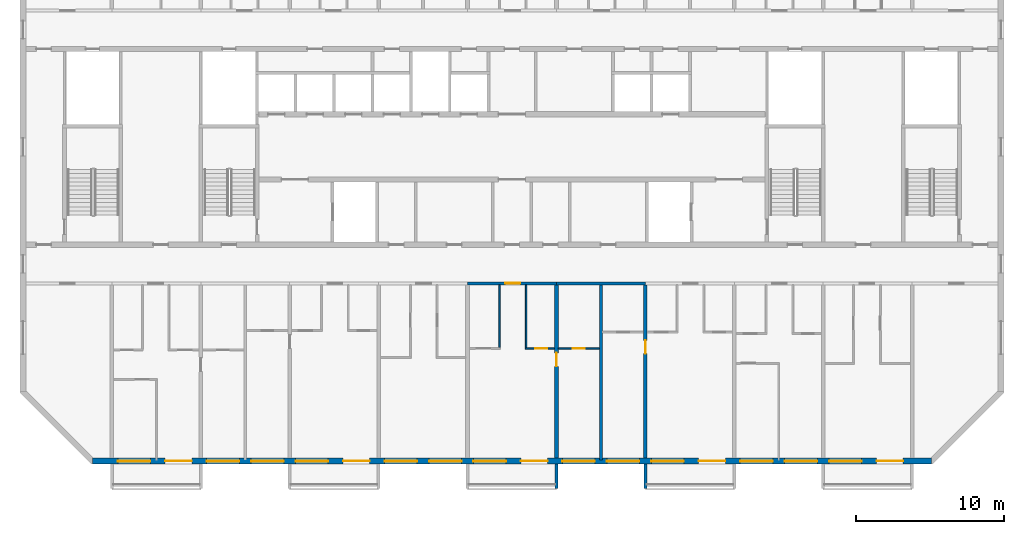
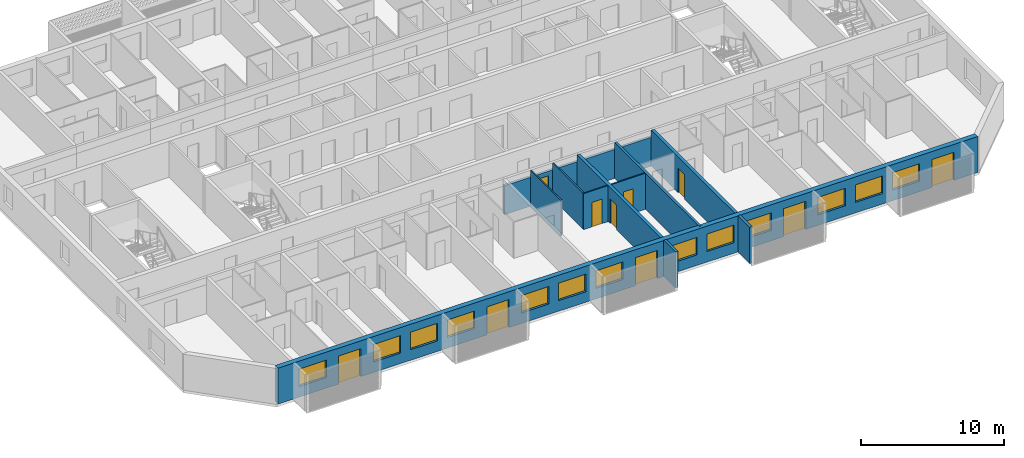
# One storey, part 4 of 27: 13 windows, 12 walls, 10 doors, 23 openings.
"""IFC4 building model written with IfcOpenShell, lengths in metres."""

from ifc_helpers import new_model, si_unit, direction, frame, frame_2d, origin, place, context, subcontext, project, spatial, polyline, rectangle, outline, extrude, source, transform, mapped, material, layer, layer_set, type_object, element, fill, save


model = new_model("IFC4")

# Units and contexts
model_context = context("Model", 3, precision=1e-05, world=origin(), true_north=direction((0.0, 1.0)))
body_context = subcontext(model_context, "Body", "Model", "MODEL_VIEW")
ifc_project = project(units=[si_unit("LENGTHUNIT", "METRE"), si_unit("AREAUNIT", "SQUARE_METRE"), si_unit("VOLUMEUNIT", "CUBIC_METRE"), si_unit("PLANEANGLEUNIT", "RADIAN"), si_unit("MASSUNIT", "GRAM", prefix="KILO")], contexts=[model_context])

# Site, building, storey
site_placement = place(None, origin())
site = spatial("IfcSite", under=ifc_project, at=site_placement, CompositionType="ELEMENT")
building_placement = place(site_placement, origin())
building = spatial("IfcBuilding", under=site, at=building_placement, Name="Poui Terraces", CompositionType="ELEMENT")
storey_placement = place(building_placement, frame((0.0, 0.0, 251.10009765625)))
storey = spatial("IfcBuildingStorey", under=building, at=storey_placement, Name="L70", CompositionType="ELEMENT", Elevation=251.10009765625)

# Wall, opening, door
ifc_material_1 = material(Name="Concrete 50 MPa", Category="concrete")
ifc_layer_1 = layer(ifc_material_1, 0.199951171875)
ifc_layer_set_1 = layer_set([ifc_layer_1], Name="Concrete 50 MPa")
wall_type_1 = type_object("IfcWallType", Name="CORRIDOR WALL 200 50MPa", PredefinedType="SHEAR", material=ifc_layer_set_1)
wall_1_placement = place(storey_placement, frame((48.0, 12.0, 0.0), z_axis=(0.0, 0.0, 1.0), x_axis=(1.0, 0.0, 0.0)))
wall_1 = element("IfcWall", 1, at=wall_1_placement, inside=storey, type_object=wall_type_1, Name="CORRIDOR WALL LINE B BAY 6", PredefinedType="SHEAR", context=body_context, shape_type="SweptSolid", body=[
    extrude(rectangle(XDim=6.0, YDim=0.199951171875, at=frame_2d((3.0, 0.0))), origin(), (0.0, 0.0, 1.0), 2.47998046875),
])
opening_1_placement = place(wall_1_placement, frame((2.550048828125, 0.0, 0.0)))
opening_1 = element("IfcOpeningElement", 2, at=opening_1_placement, cuts=wall_1, Name="Opening FD30S", PredefinedType="OPENING", context=body_context, shape_type="SweptSolid", body=[
    extrude(rectangle(XDim=1.0, YDim=2.10009765625, at=frame_2d((0.5, 1.050048828125))), frame((0.0, 0.10986328125, 0.0), z_axis=(0.0, -1.0, 0.0), x_axis=(1.0, 0.0, 0.0)), (0.0, 0.0, 1.0), 0.219970703125),
])
ifc_material_2 = material(Name="Steel fire door", Category="steel")
door_type_1 = type_object("IfcDoorType", Name="FLAT ENTRANCE DOOR 1000 X 2100", OperationType="NOTDEFINED", PredefinedType="DOOR", material=ifc_material_2)
door_1_placement = place(opening_1_placement, frame((1.0, 0.0, 0.0), z_axis=(0.0, 0.0, 1.0), x_axis=(-1.0, 0.0, 0.0)))
door_1 = element("IfcDoor", 3, at=door_1_placement, inside=storey, type_object=door_type_1, Name="FLAT ENTRANCE DOOR 078", OperationType="SINGLE_SWING_LEFT", OverallHeight=2.10009765625, OverallWidth=1.0, PredefinedType="DOOR", context=body_context, shape_type="SweptSolid", body=[
    extrude(rectangle(XDim=1.0, YDim=2.10009765625, at=frame_2d((0.5, 1.050048828125))), frame((0.0, 0.02490234375, 0.0), z_axis=(0.0, -1.0, 0.0), x_axis=(1.0, 0.0, 0.0)), (0.0, 0.0, 1.0), 0.050048828125),
])
fill(opening_1, door_1)

# Wall
wall_2_placement = place(storey_placement, frame((54.0, 12.0, 0.0), z_axis=(0.0, 0.0, 1.0), x_axis=(1.0, 0.0, 0.0)))
element("IfcWall", 4, at=wall_2_placement, inside=storey, type_object=wall_type_1, Name="CORRIDOR WALL LINE B BAY 7", PredefinedType="SHEAR", context=body_context, shape_type="SweptSolid", body=[
    extrude(rectangle(XDim=6.0, YDim=0.199951171875, at=frame_2d((3.0, 0.0))), origin(), (0.0, 0.0, 1.0), 2.47998046875),
])

# Wall, opening, door
ifc_layer_2 = layer(ifc_material_1, 0.25)
ifc_layer_set_2 = layer_set([ifc_layer_2], Name="Concrete 50 MPa")
wall_type_2 = type_object("IfcWallType", Name="CROSS WALL 250 50MPa", PredefinedType="SHEAR", material=ifc_layer_set_2)
wall_3_placement = place(storey_placement, frame((54.0, 0.199951171875, 0.0), z_axis=(0.0, 0.0, 1.0), x_axis=(0.0, 1.0, 0.0)))
wall_3 = element("IfcWall", 5, at=wall_3_placement, inside=storey, type_object=wall_type_2, Name="CROSS WALL LINE 10 SOUTH", PredefinedType="SHEAR", context=body_context, shape_type="SweptSolid", body=[
    extrude(rectangle(XDim=11.699951171875, YDim=0.25, at=frame_2d((5.85009765625, 0.0))), origin(), (0.0, 0.0, 1.0), 3.079833984375),
])
opening_2_placement = place(wall_3_placement, frame((6.199951171875, 0.0, 0.0)))
opening_2 = element("IfcOpeningElement", 6, at=opening_2_placement, cuts=wall_3, Name="Opening D90", PredefinedType="OPENING", context=body_context, shape_type="SweptSolid", body=[
    extrude(rectangle(XDim=0.89990234375, YDim=2.10009765625, at=frame_2d((0.449951171875, 1.050048828125))), frame((0.0, 0.135009765625, 0.0), z_axis=(0.0, -1.0, 0.0), x_axis=(1.0, 0.0, 0.0)), (0.0, 0.0, 1.0), 0.27001953125),
])
ifc_material_3 = material(Name="Solid core timber door", Category="wood")
door_type_2 = type_object("IfcDoorType", Name="INTERNAL DOOR 900 X 2100", OperationType="NOTDEFINED", PredefinedType="DOOR", material=ifc_material_3)
door_2_placement = place(opening_2_placement, frame((0.89990234375, 0.0, 0.0), z_axis=(0.0, 0.0, 1.0), x_axis=(-1.0, 0.0, 0.0)))
door_2 = element("IfcDoor", 7, at=door_2_placement, inside=storey, type_object=door_type_2, Name="INTERNAL DOOR 080", OperationType="SINGLE_SWING_LEFT", OverallHeight=2.10009765625, OverallWidth=0.89990234375, PredefinedType="DOOR", context=body_context, shape_type="SweptSolid", body=[
    extrude(rectangle(XDim=0.89990234375, YDim=2.10009765625, at=frame_2d((0.449951171875, 1.050048828125))), frame((0.0, 0.02490234375, 0.0), z_axis=(0.0, -1.0, 0.0), x_axis=(1.0, 0.0, 0.0)), (0.0, 0.0, 1.0), 0.050048828125),
])
fill(opening_2, door_2)

wall_4_placement = place(storey_placement, frame((60.0, 0.199951171875, 0.0), z_axis=(0.0, 0.0, 1.0), x_axis=(0.0, 1.0, 0.0)))
wall_4 = element("IfcWall", 8, at=wall_4_placement, inside=storey, type_object=wall_type_2, Name="CROSS WALL LINE 11 SOUTH", PredefinedType="SHEAR", context=body_context, shape_type="SweptSolid", body=[
    extrude(rectangle(XDim=11.699951171875, YDim=0.25, at=frame_2d((5.85009765625, 0.0))), origin(), (0.0, 0.0, 1.0), 3.079833984375),
])
opening_3_placement = place(wall_4_placement, frame((7.050048828125, 0.0, 0.0)))
opening_3 = element("IfcOpeningElement", 9, at=opening_3_placement, cuts=wall_4, Name="Opening D90", PredefinedType="OPENING", context=body_context, shape_type="SweptSolid", body=[
    extrude(rectangle(XDim=0.89990234375, YDim=2.10009765625, at=frame_2d((0.449951171875, 1.050048828125))), frame((0.0, 0.135009765625, 0.0), z_axis=(0.0, -1.0, 0.0), x_axis=(1.0, 0.0, 0.0)), (0.0, 0.0, 1.0), 0.27001953125),
])
door_3_placement = place(opening_3_placement, origin())
door_3 = element("IfcDoor", 10, at=door_3_placement, inside=storey, type_object=door_type_2, Name="INTERNAL DOOR 082", OperationType="SINGLE_SWING_RIGHT", OverallHeight=2.10009765625, OverallWidth=0.89990234375, PredefinedType="DOOR", context=body_context, shape_type="SweptSolid", body=[
    extrude(rectangle(XDim=0.89990234375, YDim=2.10009765625, at=frame_2d((0.449951171875, 1.050048828125))), frame((0.0, 0.02490234375, 0.0), z_axis=(0.0, -1.0, 0.0), x_axis=(1.0, 0.0, 0.0)), (0.0, 0.0, 1.0), 0.050048828125),
])
fill(opening_3, door_3)

# Wall, openings, doors, windows
ifc_material_4 = material(Name="Precast concrete 40 MPa", Category="concrete")
ifc_layer_3 = layer(ifc_material_4, 0.39990234375)
ifc_layer_set_3 = layer_set([ifc_layer_3], Name="Precast concrete 40 MPa")
wall_type_3 = type_object("IfcWallType", Name="EXTERNAL WALL 400", PredefinedType="STANDARD", material=ifc_layer_set_3)
wall_5_placement = place(storey_placement, frame((22.682861328125, 0.0, 0.0), z_axis=(0.0, 0.0, 1.0), x_axis=(1.0, 0.0, 0.0)))
wall_5 = element("IfcWall", 11, at=wall_5_placement, inside=storey, type_object=wall_type_3, Name="EXTERNAL WALL S", PredefinedType="STANDARD", context=body_context, shape_type="SweptSolid", body=[
    extrude(rectangle(XDim=56.63427734375, YDim=0.39990234375, at=frame_2d((28.317138671875, 0.0))), origin(), (0.0, 0.0, 1.0), 3.079833984375),
])
opening_4_placement = place(wall_5_placement, frame((1.71728515625, 0.0, 0.89990234375)))
opening_4 = element("IfcOpeningElement", 12, at=opening_4_placement, cuts=wall_5, Name="Opening W1", PredefinedType="OPENING", context=body_context, shape_type="SweptSolid", body=[
    extrude(rectangle(XDim=2.199951171875, YDim=1.5, at=frame_2d((1.10009765625, 0.75))), frame((0.0, 0.2099609375, 0.0), z_axis=(0.0, -1.0, 0.0), x_axis=(1.0, 0.0, 0.0)), (0.0, 0.0, 1.0), 0.419921875),
])
opening_5_placement = place(wall_5_placement, frame((4.917236328125, 0.0, 0.0)))
opening_5 = element("IfcOpeningElement", 13, at=opening_5_placement, cuts=wall_5, Name="Opening BD1", PredefinedType="OPENING", context=body_context, shape_type="SweptSolid", body=[
    extrude(rectangle(XDim=1.800048828125, YDim=2.39990234375, at=frame_2d((0.89990234375, 1.199951171875))), frame((0.0, 0.2099609375, 0.0), z_axis=(0.0, -1.0, 0.0), x_axis=(1.0, 0.0, 0.0)), (0.0, 0.0, 1.0), 0.419921875),
])
opening_6_placement = place(wall_5_placement, frame((7.71728515625, 0.0, 0.89990234375)))
opening_6 = element("IfcOpeningElement", 14, at=opening_6_placement, cuts=wall_5, Name="Opening W1", PredefinedType="OPENING", context=body_context, shape_type="SweptSolid", body=[
    extrude(rectangle(XDim=2.199951171875, YDim=1.5, at=frame_2d((1.10009765625, 0.75))), frame((0.0, 0.2099609375, 0.0), z_axis=(0.0, -1.0, 0.0), x_axis=(1.0, 0.0, 0.0)), (0.0, 0.0, 1.0), 0.419921875),
])
opening_7_placement = place(wall_5_placement, frame((10.71728515625, 0.0, 0.89990234375)))
opening_7 = element("IfcOpeningElement", 15, at=opening_7_placement, cuts=wall_5, Name="Opening W1", PredefinedType="OPENING", context=body_context, shape_type="SweptSolid", body=[
    extrude(rectangle(XDim=2.199951171875, YDim=1.5, at=frame_2d((1.10009765625, 0.75))), frame((0.0, 0.2099609375, 0.0), z_axis=(0.0, -1.0, 0.0), x_axis=(1.0, 0.0, 0.0)), (0.0, 0.0, 1.0), 0.419921875),
])
opening_8_placement = place(wall_5_placement, frame((13.71728515625, 0.0, 0.89990234375)))
opening_8 = element("IfcOpeningElement", 16, at=opening_8_placement, cuts=wall_5, Name="Opening W1", PredefinedType="OPENING", context=body_context, shape_type="SweptSolid", body=[
    extrude(rectangle(XDim=2.199951171875, YDim=1.5, at=frame_2d((1.10009765625, 0.75))), frame((0.0, 0.2099609375, 0.0), z_axis=(0.0, -1.0, 0.0), x_axis=(1.0, 0.0, 0.0)), (0.0, 0.0, 1.0), 0.419921875),
])
opening_9_placement = place(wall_5_placement, frame((16.917236328125, 0.0, 0.0)))
opening_9 = element("IfcOpeningElement", 17, at=opening_9_placement, cuts=wall_5, Name="Opening BD1", PredefinedType="OPENING", context=body_context, shape_type="SweptSolid", body=[
    extrude(rectangle(XDim=1.800048828125, YDim=2.39990234375, at=frame_2d((0.89990234375, 1.199951171875))), frame((0.0, 0.2099609375, 0.0), z_axis=(0.0, -1.0, 0.0), x_axis=(1.0, 0.0, 0.0)), (0.0, 0.0, 1.0), 0.419921875),
])
opening_10_placement = place(wall_5_placement, frame((19.71728515625, 0.0, 0.89990234375)))
opening_10 = element("IfcOpeningElement", 18, at=opening_10_placement, cuts=wall_5, Name="Opening W1", PredefinedType="OPENING", context=body_context, shape_type="SweptSolid", body=[
    extrude(rectangle(XDim=2.199951171875, YDim=1.5, at=frame_2d((1.10009765625, 0.75))), frame((0.0, 0.2099609375, 0.0), z_axis=(0.0, -1.0, 0.0), x_axis=(1.0, 0.0, 0.0)), (0.0, 0.0, 1.0), 0.419921875),
])
opening_11_placement = place(wall_5_placement, frame((22.71728515625, 0.0, 0.89990234375)))
opening_11 = element("IfcOpeningElement", 19, at=opening_11_placement, cuts=wall_5, Name="Opening W1", PredefinedType="OPENING", context=body_context, shape_type="SweptSolid", body=[
    extrude(rectangle(XDim=2.199951171875, YDim=1.5, at=frame_2d((1.10009765625, 0.75))), frame((0.0, 0.2099609375, 0.0), z_axis=(0.0, -1.0, 0.0), x_axis=(1.0, 0.0, 0.0)), (0.0, 0.0, 1.0), 0.419921875),
])
opening_12_placement = place(wall_5_placement, frame((25.71728515625, 0.0, 0.89990234375)))
opening_12 = element("IfcOpeningElement", 20, at=opening_12_placement, cuts=wall_5, Name="Opening W1", PredefinedType="OPENING", context=body_context, shape_type="SweptSolid", body=[
    extrude(rectangle(XDim=2.199951171875, YDim=1.5, at=frame_2d((1.10009765625, 0.75))), frame((0.0, 0.2099609375, 0.0), z_axis=(0.0, -1.0, 0.0), x_axis=(1.0, 0.0, 0.0)), (0.0, 0.0, 1.0), 0.419921875),
])
opening_13_placement = place(wall_5_placement, frame((28.917236328125, 0.0, 0.0)))
opening_13 = element("IfcOpeningElement", 21, at=opening_13_placement, cuts=wall_5, Name="Opening BD1", PredefinedType="OPENING", context=body_context, shape_type="SweptSolid", body=[
    extrude(rectangle(XDim=1.800048828125, YDim=2.39990234375, at=frame_2d((0.89990234375, 1.199951171875))), frame((0.0, 0.2099609375, 0.0), z_axis=(0.0, -1.0, 0.0), x_axis=(1.0, 0.0, 0.0)), (0.0, 0.0, 1.0), 0.419921875),
])
opening_14_placement = place(wall_5_placement, frame((31.71728515625, 0.0, 0.89990234375)))
opening_14 = element("IfcOpeningElement", 22, at=opening_14_placement, cuts=wall_5, Name="Opening W1", PredefinedType="OPENING", context=body_context, shape_type="SweptSolid", body=[
    extrude(rectangle(XDim=2.199951171875, YDim=1.5, at=frame_2d((1.10009765625, 0.75))), frame((0.0, 0.2099609375, 0.0), z_axis=(0.0, -1.0, 0.0), x_axis=(1.0, 0.0, 0.0)), (0.0, 0.0, 1.0), 0.419921875),
])
opening_15_placement = place(wall_5_placement, frame((34.71728515625, 0.0, 0.89990234375)))
opening_15 = element("IfcOpeningElement", 23, at=opening_15_placement, cuts=wall_5, Name="Opening W1", PredefinedType="OPENING", context=body_context, shape_type="SweptSolid", body=[
    extrude(rectangle(XDim=2.199951171875, YDim=1.5, at=frame_2d((1.10009765625, 0.75))), frame((0.0, 0.2099609375, 0.0), z_axis=(0.0, -1.0, 0.0), x_axis=(1.0, 0.0, 0.0)), (0.0, 0.0, 1.0), 0.419921875),
])
opening_16_placement = place(wall_5_placement, frame((37.71728515625, 0.0, 0.89990234375)))
opening_16 = element("IfcOpeningElement", 24, at=opening_16_placement, cuts=wall_5, Name="Opening W1", PredefinedType="OPENING", context=body_context, shape_type="SweptSolid", body=[
    extrude(rectangle(XDim=2.199951171875, YDim=1.5, at=frame_2d((1.10009765625, 0.75))), frame((0.0, 0.2099609375, 0.0), z_axis=(0.0, -1.0, 0.0), x_axis=(1.0, 0.0, 0.0)), (0.0, 0.0, 1.0), 0.419921875),
])
opening_17_placement = place(wall_5_placement, frame((40.917236328125, 0.0, 0.0)))
opening_17 = element("IfcOpeningElement", 25, at=opening_17_placement, cuts=wall_5, Name="Opening BD1", PredefinedType="OPENING", context=body_context, shape_type="SweptSolid", body=[
    extrude(rectangle(XDim=1.800048828125, YDim=2.39990234375, at=frame_2d((0.89990234375, 1.199951171875))), frame((0.0, 0.2099609375, 0.0), z_axis=(0.0, -1.0, 0.0), x_axis=(1.0, 0.0, 0.0)), (0.0, 0.0, 1.0), 0.419921875),
])
opening_18_placement = place(wall_5_placement, frame((43.71728515625, 0.0, 0.89990234375)))
opening_18 = element("IfcOpeningElement", 26, at=opening_18_placement, cuts=wall_5, Name="Opening W1", PredefinedType="OPENING", context=body_context, shape_type="SweptSolid", body=[
    extrude(rectangle(XDim=2.199951171875, YDim=1.5, at=frame_2d((1.10009765625, 0.75))), frame((0.0, 0.2099609375, 0.0), z_axis=(0.0, -1.0, 0.0), x_axis=(1.0, 0.0, 0.0)), (0.0, 0.0, 1.0), 0.419921875),
])
opening_19_placement = place(wall_5_placement, frame((46.71728515625, 0.0, 0.89990234375)))
opening_19 = element("IfcOpeningElement", 27, at=opening_19_placement, cuts=wall_5, Name="Opening W1", PredefinedType="OPENING", context=body_context, shape_type="SweptSolid", body=[
    extrude(rectangle(XDim=2.199951171875, YDim=1.5, at=frame_2d((1.10009765625, 0.75))), frame((0.0, 0.2099609375, 0.0), z_axis=(0.0, -1.0, 0.0), x_axis=(1.0, 0.0, 0.0)), (0.0, 0.0, 1.0), 0.419921875),
])
opening_20_placement = place(wall_5_placement, frame((49.71728515625, 0.0, 0.89990234375)))
opening_20 = element("IfcOpeningElement", 28, at=opening_20_placement, cuts=wall_5, Name="Opening W1", PredefinedType="OPENING", context=body_context, shape_type="SweptSolid", body=[
    extrude(rectangle(XDim=2.199951171875, YDim=1.5, at=frame_2d((1.10009765625, 0.75))), frame((0.0, 0.2099609375, 0.0), z_axis=(0.0, -1.0, 0.0), x_axis=(1.0, 0.0, 0.0)), (0.0, 0.0, 1.0), 0.419921875),
])
opening_21_placement = place(wall_5_placement, frame((52.917236328125, 0.0, 0.0)))
opening_21 = element("IfcOpeningElement", 29, at=opening_21_placement, cuts=wall_5, Name="Opening BD1", PredefinedType="OPENING", context=body_context, shape_type="SweptSolid", body=[
    extrude(rectangle(XDim=1.800048828125, YDim=2.39990234375, at=frame_2d((0.89990234375, 1.199951171875))), frame((0.0, 0.2099609375, 0.0), z_axis=(0.0, -1.0, 0.0), x_axis=(1.0, 0.0, 0.0)), (0.0, 0.0, 1.0), 0.419921875),
])
ifc_material_5 = material(Name="Clear glass in aluminium frame", Category="aluminium")
door_type_3 = type_object("IfcDoorType", Name="BALCONY DOOR 1800X2400", OperationType="DOUBLE_DOOR_SLIDING", PredefinedType="DOOR", material=ifc_material_5)
door_4_placement = place(opening_5_placement, origin())
door_4 = element("IfcDoor", 30, at=door_4_placement, inside=storey, type_object=door_type_3, Name="BD1 BALCONY DOOR", OperationType="DOUBLE_DOOR_SLIDING", OverallHeight=2.39990234375, OverallWidth=1.800048828125, PredefinedType="DOOR", context=body_context, shape_type="SweptSolid", body=[
    extrude(rectangle(XDim=1.800048828125, YDim=2.39990234375, at=frame_2d((0.89990234375, 1.199951171875))), frame((0.0, 0.02490234375, 0.0), z_axis=(0.0, -1.0, 0.0), x_axis=(1.0, 0.0, 0.0)), (0.0, 0.0, 1.0), 0.050048828125),
])
fill(opening_5, door_4)
door_5_placement = place(opening_9_placement, origin())
door_5 = element("IfcDoor", 31, at=door_5_placement, inside=storey, type_object=door_type_3, Name="BD1 BALCONY DOOR", OperationType="DOUBLE_DOOR_SLIDING", OverallHeight=2.39990234375, OverallWidth=1.800048828125, PredefinedType="DOOR", context=body_context, shape_type="SweptSolid", body=[
    extrude(rectangle(XDim=1.800048828125, YDim=2.39990234375, at=frame_2d((0.89990234375, 1.199951171875))), frame((0.0, 0.02490234375, 0.0), z_axis=(0.0, -1.0, 0.0), x_axis=(1.0, 0.0, 0.0)), (0.0, 0.0, 1.0), 0.050048828125),
])
fill(opening_9, door_5)
door_6_placement = place(opening_13_placement, origin())
door_6 = element("IfcDoor", 32, at=door_6_placement, inside=storey, type_object=door_type_3, Name="BD1 BALCONY DOOR", OperationType="DOUBLE_DOOR_SLIDING", OverallHeight=2.39990234375, OverallWidth=1.800048828125, PredefinedType="DOOR", context=body_context, shape_type="SweptSolid", body=[
    extrude(rectangle(XDim=1.800048828125, YDim=2.39990234375, at=frame_2d((0.89990234375, 1.199951171875))), frame((0.0, 0.02490234375, 0.0), z_axis=(0.0, -1.0, 0.0), x_axis=(1.0, 0.0, 0.0)), (0.0, 0.0, 1.0), 0.050048828125),
])
fill(opening_13, door_6)
door_7_placement = place(opening_17_placement, origin())
door_7 = element("IfcDoor", 33, at=door_7_placement, inside=storey, type_object=door_type_3, Name="BD1 BALCONY DOOR", OperationType="DOUBLE_DOOR_SLIDING", OverallHeight=2.39990234375, OverallWidth=1.800048828125, PredefinedType="DOOR", context=body_context, shape_type="SweptSolid", body=[
    extrude(rectangle(XDim=1.800048828125, YDim=2.39990234375, at=frame_2d((0.89990234375, 1.199951171875))), frame((0.0, 0.02490234375, 0.0), z_axis=(0.0, -1.0, 0.0), x_axis=(1.0, 0.0, 0.0)), (0.0, 0.0, 1.0), 0.050048828125),
])
fill(opening_17, door_7)
door_8_placement = place(opening_21_placement, origin())
door_8 = element("IfcDoor", 34, at=door_8_placement, inside=storey, type_object=door_type_3, Name="BD1 BALCONY DOOR", OperationType="DOUBLE_DOOR_SLIDING", OverallHeight=2.39990234375, OverallWidth=1.800048828125, PredefinedType="DOOR", context=body_context, shape_type="SweptSolid", body=[
    extrude(rectangle(XDim=1.800048828125, YDim=2.39990234375, at=frame_2d((0.89990234375, 1.199951171875))), frame((0.0, 0.02490234375, 0.0), z_axis=(0.0, -1.0, 0.0), x_axis=(1.0, 0.0, 0.0)), (0.0, 0.0, 1.0), 0.050048828125),
])
fill(opening_21, door_8)
window_type = type_object("IfcWindowType", Name="WINDOW 2200X1500", PartitioningType="DOUBLE_PANEL_HORIZONTAL", PredefinedType="WINDOW", material=ifc_material_5)
window_1_placement = place(opening_4_placement, origin())
window_1 = element("IfcWindow", 35, at=window_1_placement, inside=storey, type_object=window_type, Name="W1 WINDOW", OverallHeight=1.5, OverallWidth=2.199951171875, PartitioningType="DOUBLE_PANEL_HORIZONTAL", PredefinedType="WINDOW", context=body_context, shape_type="SweptSolid", body=[
    extrude(rectangle(XDim=2.199951171875, YDim=1.5, at=frame_2d((1.10009765625, 0.75))), frame((0.0, 0.030029296875, 0.0), z_axis=(0.0, -1.0, 0.0), x_axis=(1.0, 0.0, 0.0)), (0.0, 0.0, 1.0), 0.06005859375),
])
fill(opening_4, window_1)
window_2_placement = place(opening_6_placement, origin())
window_2 = element("IfcWindow", 36, at=window_2_placement, inside=storey, type_object=window_type, Name="W1 WINDOW", OverallHeight=1.5, OverallWidth=2.199951171875, PartitioningType="DOUBLE_PANEL_HORIZONTAL", PredefinedType="WINDOW", context=body_context, shape_type="SweptSolid", body=[
    extrude(rectangle(XDim=2.199951171875, YDim=1.5, at=frame_2d((1.10009765625, 0.75))), frame((0.0, 0.030029296875, 0.0), z_axis=(0.0, -1.0, 0.0), x_axis=(1.0, 0.0, 0.0)), (0.0, 0.0, 1.0), 0.06005859375),
])
fill(opening_6, window_2)
window_3_placement = place(opening_7_placement, origin())
window_3 = element("IfcWindow", 37, at=window_3_placement, inside=storey, type_object=window_type, Name="W1 WINDOW", OverallHeight=1.5, OverallWidth=2.199951171875, PartitioningType="DOUBLE_PANEL_HORIZONTAL", PredefinedType="WINDOW", context=body_context, shape_type="SweptSolid", body=[
    extrude(rectangle(XDim=2.199951171875, YDim=1.5, at=frame_2d((1.10009765625, 0.75))), frame((0.0, 0.030029296875, 0.0), z_axis=(0.0, -1.0, 0.0), x_axis=(1.0, 0.0, 0.0)), (0.0, 0.0, 1.0), 0.06005859375),
])
fill(opening_7, window_3)
window_4_placement = place(opening_8_placement, origin())
window_4 = element("IfcWindow", 38, at=window_4_placement, inside=storey, type_object=window_type, Name="W1 WINDOW", OverallHeight=1.5, OverallWidth=2.199951171875, PartitioningType="DOUBLE_PANEL_HORIZONTAL", PredefinedType="WINDOW", context=body_context, shape_type="SweptSolid", body=[
    extrude(rectangle(XDim=2.199951171875, YDim=1.5, at=frame_2d((1.10009765625, 0.75))), frame((0.0, 0.030029296875, 0.0), z_axis=(0.0, -1.0, 0.0), x_axis=(1.0, 0.0, 0.0)), (0.0, 0.0, 1.0), 0.06005859375),
])
fill(opening_8, window_4)
window_5_placement = place(opening_10_placement, origin())
window_5 = element("IfcWindow", 39, at=window_5_placement, inside=storey, type_object=window_type, Name="W1 WINDOW", OverallHeight=1.5, OverallWidth=2.199951171875, PartitioningType="DOUBLE_PANEL_HORIZONTAL", PredefinedType="WINDOW", context=body_context, shape_type="SweptSolid", body=[
    extrude(rectangle(XDim=2.199951171875, YDim=1.5, at=frame_2d((1.10009765625, 0.75))), frame((0.0, 0.030029296875, 0.0), z_axis=(0.0, -1.0, 0.0), x_axis=(1.0, 0.0, 0.0)), (0.0, 0.0, 1.0), 0.06005859375),
])
fill(opening_10, window_5)
window_6_placement = place(opening_11_placement, origin())
window_6 = element("IfcWindow", 40, at=window_6_placement, inside=storey, type_object=window_type, Name="W1 WINDOW", OverallHeight=1.5, OverallWidth=2.199951171875, PartitioningType="DOUBLE_PANEL_HORIZONTAL", PredefinedType="WINDOW", context=body_context, shape_type="SweptSolid", body=[
    extrude(rectangle(XDim=2.199951171875, YDim=1.5, at=frame_2d((1.10009765625, 0.75))), frame((0.0, 0.030029296875, 0.0), z_axis=(0.0, -1.0, 0.0), x_axis=(1.0, 0.0, 0.0)), (0.0, 0.0, 1.0), 0.06005859375),
])
fill(opening_11, window_6)
window_7_placement = place(opening_12_placement, origin())
window_7 = element("IfcWindow", 41, at=window_7_placement, inside=storey, type_object=window_type, Name="W1 WINDOW", OverallHeight=1.5, OverallWidth=2.199951171875, PartitioningType="DOUBLE_PANEL_HORIZONTAL", PredefinedType="WINDOW", context=body_context, shape_type="SweptSolid", body=[
    extrude(rectangle(XDim=2.199951171875, YDim=1.5, at=frame_2d((1.10009765625, 0.75))), frame((0.0, 0.030029296875, 0.0), z_axis=(0.0, -1.0, 0.0), x_axis=(1.0, 0.0, 0.0)), (0.0, 0.0, 1.0), 0.06005859375),
])
fill(opening_12, window_7)
window_8_placement = place(opening_14_placement, origin())
window_8 = element("IfcWindow", 42, at=window_8_placement, inside=storey, type_object=window_type, Name="W1 WINDOW", OverallHeight=1.5, OverallWidth=2.199951171875, PartitioningType="DOUBLE_PANEL_HORIZONTAL", PredefinedType="WINDOW", context=body_context, shape_type="SweptSolid", body=[
    extrude(rectangle(XDim=2.199951171875, YDim=1.5, at=frame_2d((1.10009765625, 0.75))), frame((0.0, 0.030029296875, 0.0), z_axis=(0.0, -1.0, 0.0), x_axis=(1.0, 0.0, 0.0)), (0.0, 0.0, 1.0), 0.06005859375),
])
fill(opening_14, window_8)
window_9_placement = place(opening_15_placement, origin())
window_9 = element("IfcWindow", 43, at=window_9_placement, inside=storey, type_object=window_type, Name="W1 WINDOW", OverallHeight=1.5, OverallWidth=2.199951171875, PartitioningType="DOUBLE_PANEL_HORIZONTAL", PredefinedType="WINDOW", context=body_context, shape_type="SweptSolid", body=[
    extrude(rectangle(XDim=2.199951171875, YDim=1.5, at=frame_2d((1.10009765625, 0.75))), frame((0.0, 0.030029296875, 0.0), z_axis=(0.0, -1.0, 0.0), x_axis=(1.0, 0.0, 0.0)), (0.0, 0.0, 1.0), 0.06005859375),
])
fill(opening_15, window_9)
window_10_placement = place(opening_16_placement, origin())
window_10 = element("IfcWindow", 44, at=window_10_placement, inside=storey, type_object=window_type, Name="W1 WINDOW", OverallHeight=1.5, OverallWidth=2.199951171875, PartitioningType="DOUBLE_PANEL_HORIZONTAL", PredefinedType="WINDOW", context=body_context, shape_type="SweptSolid", body=[
    extrude(rectangle(XDim=2.199951171875, YDim=1.5, at=frame_2d((1.10009765625, 0.75))), frame((0.0, 0.030029296875, 0.0), z_axis=(0.0, -1.0, 0.0), x_axis=(1.0, 0.0, 0.0)), (0.0, 0.0, 1.0), 0.06005859375),
])
fill(opening_16, window_10)
window_11_placement = place(opening_18_placement, origin())
window_11 = element("IfcWindow", 45, at=window_11_placement, inside=storey, type_object=window_type, Name="W1 WINDOW", OverallHeight=1.5, OverallWidth=2.199951171875, PartitioningType="DOUBLE_PANEL_HORIZONTAL", PredefinedType="WINDOW", context=body_context, shape_type="SweptSolid", body=[
    extrude(rectangle(XDim=2.199951171875, YDim=1.5, at=frame_2d((1.10009765625, 0.75))), frame((0.0, 0.030029296875, 0.0), z_axis=(0.0, -1.0, 0.0), x_axis=(1.0, 0.0, 0.0)), (0.0, 0.0, 1.0), 0.06005859375),
])
fill(opening_18, window_11)
window_12_placement = place(opening_19_placement, origin())
window_12 = element("IfcWindow", 46, at=window_12_placement, inside=storey, type_object=window_type, Name="W1 WINDOW", OverallHeight=1.5, OverallWidth=2.199951171875, PartitioningType="DOUBLE_PANEL_HORIZONTAL", PredefinedType="WINDOW", context=body_context, shape_type="SweptSolid", body=[
    extrude(rectangle(XDim=2.199951171875, YDim=1.5, at=frame_2d((1.10009765625, 0.75))), frame((0.0, 0.030029296875, 0.0), z_axis=(0.0, -1.0, 0.0), x_axis=(1.0, 0.0, 0.0)), (0.0, 0.0, 1.0), 0.06005859375),
])
fill(opening_19, window_12)
window_13_placement = place(opening_20_placement, origin())
window_13 = element("IfcWindow", 47, at=window_13_placement, inside=storey, type_object=window_type, Name="W1 WINDOW", OverallHeight=1.5, OverallWidth=2.199951171875, PartitioningType="DOUBLE_PANEL_HORIZONTAL", PredefinedType="WINDOW", context=body_context, shape_type="SweptSolid", body=[
    extrude(rectangle(XDim=2.199951171875, YDim=1.5, at=frame_2d((1.10009765625, 0.75))), frame((0.0, 0.030029296875, 0.0), z_axis=(0.0, -1.0, 0.0), x_axis=(1.0, 0.0, 0.0)), (0.0, 0.0, 1.0), 0.06005859375),
])
fill(opening_20, window_13)

# Wall, opening, door
ifc_material_6 = material(Name="Plasterboard partition")
ifc_layer_4 = layer(ifc_material_6, 0.10009765625)
ifc_layer_set_4 = layer_set([ifc_layer_4], Name="Plasterboard partition")
wall_type_4 = type_object("IfcWallType", Name="FLAT PARTITION 100", PredefinedType="PARTITIONING", material=ifc_layer_set_4)
wall_6_placement = place(storey_placement, frame((51.89990234375, 7.60009765625, 0.0), z_axis=(0.0, 0.0, 1.0), x_axis=(1.0, 0.0, 0.0)))
wall_6 = element("IfcWall", 48, at=wall_6_placement, inside=storey, type_object=wall_type_4, Name="FLAT PARTITION 100", PredefinedType="PARTITIONING", context=body_context, shape_type="SweptSolid", body=[
    extrude(rectangle(XDim=1.965087890625, YDim=0.10009765625, at=frame_2d((0.982421875, 0.0))), origin(), (0.0, 0.0, 1.0), 3.079833984375),
])
opening_22_placement = place(wall_6_placement, frame((0.675048828125, 0.0, 0.0)))
opening_22 = element("IfcOpeningElement", 49, at=opening_22_placement, cuts=wall_6, Name="Opening D80", PredefinedType="OPENING", context=body_context, shape_type="SweptSolid", body=[
    extrude(rectangle(XDim=0.800048828125, YDim=2.10009765625, at=frame_2d((0.39990234375, 1.050048828125))), frame((0.0, 0.06005859375, 0.0), z_axis=(0.0, -1.0, 0.0), x_axis=(1.0, 0.0, 0.0)), (0.0, 0.0, 1.0), 0.1201171875),
])
door_type_4 = type_object("IfcDoorType", Name="BATHROOM, LAUNDRY AND STORE DOOR 800 X 2100", OperationType="NOTDEFINED", PredefinedType="DOOR", material=ifc_material_3)
door_9_placement = place(opening_22_placement, origin())
door_9 = element("IfcDoor", 50, at=door_9_placement, inside=storey, type_object=door_type_4, Name="BATHROOM, LAUNDRY AND STORE DOOR 079", OperationType="SINGLE_SWING_LEFT", OverallHeight=2.10009765625, OverallWidth=0.800048828125, PredefinedType="DOOR", context=body_context, shape_type="SweptSolid", body=[
    extrude(rectangle(XDim=0.800048828125, YDim=2.10009765625, at=frame_2d((0.39990234375, 1.050048828125))), frame((0.0, 0.02490234375, 0.0), z_axis=(0.0, -1.0, 0.0), x_axis=(1.0, 0.0, 0.0)), (0.0, 0.0, 1.0), 0.050048828125),
])
fill(opening_22, door_9)

wall_7_placement = place(storey_placement, frame((54.135009765625, 7.60009765625, 0.0), z_axis=(0.0, 0.0, 1.0), x_axis=(1.0, 0.0, 0.0)))
wall_7 = element("IfcWall", 51, at=wall_7_placement, inside=storey, type_object=wall_type_4, Name="FLAT PARTITION 100", PredefinedType="PARTITIONING", context=body_context, shape_type="SweptSolid", body=[
    extrude(rectangle(XDim=2.764892578125, YDim=0.10009765625, at=frame_2d((1.38232421875, 0.0))), origin(), (0.0, 0.0, 1.0), 3.079833984375),
])
opening_23_placement = place(wall_7_placement, frame((0.965087890625, 0.0, 0.0)))
opening_23 = element("IfcOpeningElement", 52, at=opening_23_placement, cuts=wall_7, Name="Opening D80", PredefinedType="OPENING", context=body_context, shape_type="SweptSolid", body=[
    extrude(rectangle(XDim=0.800048828125, YDim=2.10009765625, at=frame_2d((0.39990234375, 1.050048828125))), frame((0.0, 0.06005859375, 0.0), z_axis=(0.0, -1.0, 0.0), x_axis=(1.0, 0.0, 0.0)), (0.0, 0.0, 1.0), 0.1201171875),
])
door_10_placement = place(opening_23_placement, origin())
door_10 = element("IfcDoor", 53, at=door_10_placement, inside=storey, type_object=door_type_4, Name="BATHROOM, LAUNDRY AND STORE DOOR 076", OperationType="SINGLE_SWING_LEFT", OverallHeight=2.10009765625, OverallWidth=0.800048828125, PredefinedType="DOOR", context=body_context, shape_type="SweptSolid", body=[
    extrude(rectangle(XDim=0.800048828125, YDim=2.10009765625, at=frame_2d((0.39990234375, 1.050048828125))), frame((0.0, 0.02490234375, 0.0), z_axis=(0.0, -1.0, 0.0), x_axis=(1.0, 0.0, 0.0)), (0.0, 0.0, 1.0), 0.050048828125),
])
fill(opening_23, door_10)

# Walls
for number, where, z_axis, x_axis, name in (
    (54, (50.14990234375, 7.64990234375, 0.0), (0.0, 0.0, 1.0), (0.0, 1.0, 0.0), "FLAT PARTITION 100"),
    (55, (51.949951171875, 7.64990234375, 0.0), (0.0, 0.0, 1.0), (0.0, 1.0, 0.0), "FLAT PARTITION 100"),
):
    element("IfcWall", number, at=place(storey_placement, frame(where, z_axis=z_axis, x_axis=x_axis)), inside=storey, type_object=wall_type_4, Name=name, PredefinedType="PARTITIONING", context=body_context, shape_type="SweptSolid", body=[
        extrude(rectangle(XDim=4.239990234375, YDim=0.10009765625, at=frame_2d((2.1201171875, 0.0))), origin(), (0.0, 0.0, 1.0), 3.079833984375),
    ])
ifc_material_7 = material(Name="Fire-rated masonry wall", Category="masonry")
ifc_layer_5 = layer(ifc_material_7, 0.199951171875)
ifc_layer_set_5 = layer_set([ifc_layer_5], Name="Fire-rated masonry wall")
wall_type_5 = type_object("IfcWallType", Name="FLAT PARTY WALL 200", PredefinedType="PARTITIONING", material=ifc_layer_set_5)
wall_8_placement = place(storey_placement, frame((57.0, 0.06005859375, 0.0), z_axis=(0.0, 0.0, 1.0), x_axis=(0.0, 1.0, 0.0)))
element("IfcWall", 56, at=wall_8_placement, inside=storey, type_object=wall_type_5, Name="FLAT PARTY WALL 200", PredefinedType="PARTITIONING", context=body_context, shape_type="SweptSolid", body=[
    extrude(rectangle(XDim=11.829833984375, YDim=0.199951171875, at=frame_2d((5.9150390625, 0.0))), origin(), (0.0, 0.0, 1.0), 3.079833984375),
])
ifc_layer_6 = layer(ifc_material_4, 0.199951171875)
ifc_layer_set_6 = layer_set([ifc_layer_6], Name="Precast concrete 40 MPa")
wall_type_6 = type_object("IfcWallType", Name="REAR FIN 200", PredefinedType="STANDARD", material=ifc_layer_set_6)
shared_shape = source(origin(), body_context, "Body", "SweptSolid", [
    extrude(outline(polyline([(0.0, 0.0), (0.2001953125, 0.0), (0.2001953125, 1.650146484375), (0.0, 1.650146484375), (0.0, 0.0)])), origin(), (0.0, 0.0, 1.0), 3.099853515625),
])
for number, where, name in (
    (57, (53.89990234375, -1.85009765625, 0.0), "REAR FIN"),
    (58, (59.89990234375, -1.85009765625, 0.0), "REAR FIN"),
):
    element("IfcWall", number, at=place(storey_placement, frame(where)), inside=storey, type_object=wall_type_6, Name=name, PredefinedType="STANDARD", context=body_context, shape_type="MappedRepresentation", body=[
        mapped(shared_shape, transform((0.0, 0.0, 0.0))),
    ])

save(model, "model.ifc")
